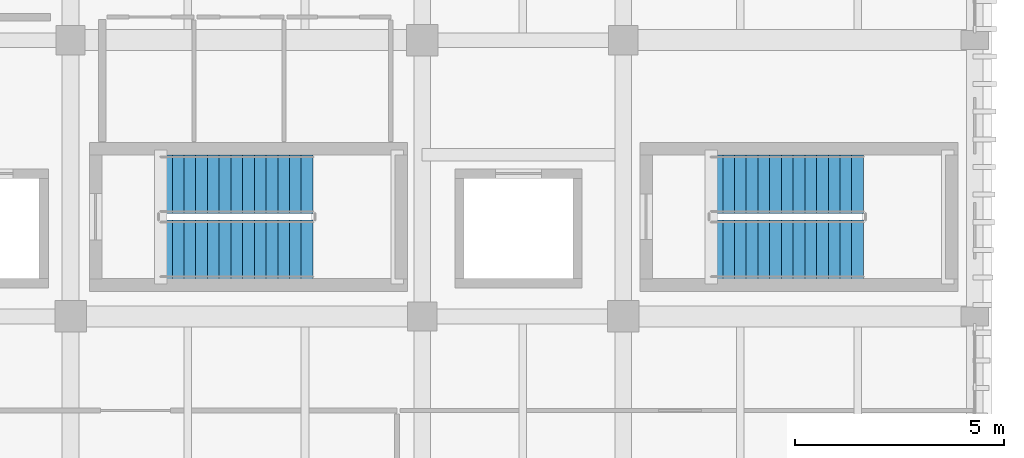
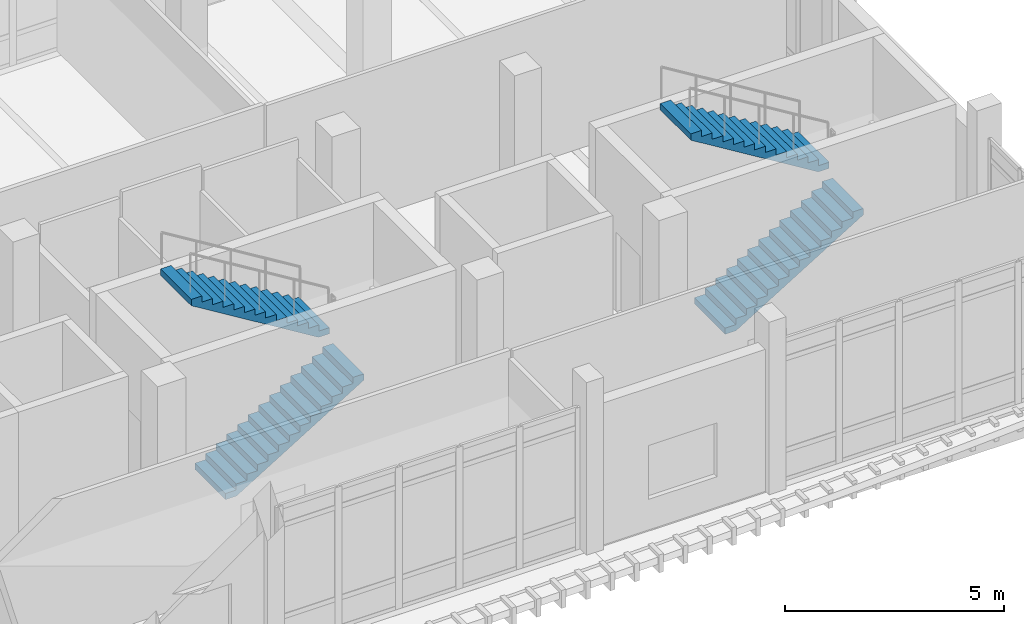
# One storey, part 25 of 37: 4 stair flights, 2 elements without a shape of their own.
"""IFC4 building model written with IfcOpenShell, lengths in metres."""

import ifcopenshell
import ifcopenshell.guid

model = None  # the IFC model being written
_history = None  # IfcOwnerHistory: only IFC2X3 demands one
_inside = {}  # id of a spatial element -> (the spatial element, [elements in it])
_under = {}  # id of a project, library or spatial element -> (it, [spatial elements below it])
_declared = {}  # id of a project -> (the project, [libraries it declares])
_typed = {}  # id of a type object -> (the type object, [elements of that type])
_made_of = {}  # id of a material, layer set ... -> (it, [elements and type objects made of it])


def new_model(schema):
    """Start an empty IFC model of exactly this schema.

    Asked for "IFC4X3", IfcOpenShell would pick the latest addendum, in which some entities
    have other attributes; the version numbers below select the first issue.
    IFC2X3 requires an IfcOwnerHistory on every rooted entity: one is made here for all.
    """
    global model, _history
    if schema == "IFC4X3":
        model = ifcopenshell.file(schema_version=(4, 3, 0, 0))
    else:
        model = ifcopenshell.file(schema=schema)
    _inside.clear()
    _under.clear()
    _declared.clear()
    _typed.clear()
    _made_of.clear()
    _history = None
    if model.schema == "IFC2X3":
        org = make("IfcOrganization", Name="unknown")
        user = make(
            "IfcPersonAndOrganization",
            ThePerson=make("IfcPerson", FamilyName="unknown"),
            TheOrganization=org,
        )
        app = make(
            "IfcApplication",
            ApplicationDeveloper=org,
            Version="unknown",
            ApplicationFullName="unknown",
            ApplicationIdentifier="unknown",
        )
        _history = make(
            "IfcOwnerHistory",
            OwningUser=user,
            OwningApplication=app,
            ChangeAction="ADDED",
            CreationDate=0,
        )
    return model


def make(cls, **values):
    """One entity of the class cls with the attributes given. An attribute that is None is left unset."""
    return model.create_entity(
        cls, **{name: value for name, value in values.items() if value is not None}
    )


def rooted(cls, **values):
    """An entity with a GlobalId (a new one), such as an element, a storey or a relation."""
    return make(cls, GlobalId=ifcopenshell.guid.new(), OwnerHistory=_history, **values)


def si_unit(unit_type, name, prefix=None):
    """IfcSIUnit, for example si_unit("LENGTHUNIT", "METRE", prefix="MILLI")."""
    return make("IfcSIUnit", UnitType=unit_type, Prefix=prefix, Name=name)


def assignment(units):
    """IfcUnitAssignment: the units of a project."""
    return None if units is None else make("IfcUnitAssignment", Units=units)


def point(xyz):
    """IfcCartesianPoint."""
    return None if xyz is None else make("IfcCartesianPoint", Coordinates=xyz)


def direction(xyz):
    """IfcDirection."""
    return None if xyz is None else make("IfcDirection", DirectionRatios=xyz)


def frame(location, z_axis=None, x_axis=None):
    """IfcAxis2Placement3D, a coordinate frame: its origin and axes. An axis left out is left unset."""
    return make(
        "IfcAxis2Placement3D",
        Location=point(location),
        Axis=direction(z_axis),
        RefDirection=direction(x_axis),
    )


def origin():
    """The frame at (0, 0, 0) with its axes left unset."""
    return frame((0.0, 0.0, 0.0))


def place(relative_to, where):
    """IfcLocalPlacement: puts the frame where relative to a parent placement (None: the world)."""
    return make(
        "IfcLocalPlacement", PlacementRelTo=relative_to, RelativePlacement=where
    )


def context(
    kind, dimensions, precision=None, world=None, true_north=None, identifier=None
):
    """IfcGeometricRepresentationContext, for example the 3D "Model" context."""
    return make(
        "IfcGeometricRepresentationContext",
        ContextIdentifier=identifier,
        ContextType=kind,
        CoordinateSpaceDimension=dimensions,
        Precision=precision,
        WorldCoordinateSystem=world,
        TrueNorth=true_north,
    )


def subcontext(parent, identifier, kind, view, scale=None):
    """IfcGeometricRepresentationSubContext, for example "Body" below "Model"."""
    return make(
        "IfcGeometricRepresentationSubContext",
        ContextIdentifier=identifier,
        ContextType=kind,
        ParentContext=parent,
        TargetScale=scale,
        TargetView=view,
    )


def project(units=None, contexts=None):
    """IfcProject with its units and contexts."""
    return rooted(
        "IfcProject",
        Name="project",
        RepresentationContexts=contexts,
        UnitsInContext=assignment(units),
    )


def spatial(cls, under=None, at=None, **own):
    """A site, building, storey or space (cls), placed at a placement, below another one or the project."""
    s = rooted(cls, ObjectPlacement=at, **own)
    if under is not None:
        _under.setdefault(under.id(), (under, []))[1].append(s)
    return s


def polyline(points):
    """IfcPolyline through the points."""
    return make("IfcPolyline", Points=[point(p) for p in points])


def outline(outer, holes=None, kind="AREA"):
    """IfcArbitraryClosedProfileDef: a profile drawn as a closed curve; with holes, ...WithVoids."""
    if holes is None:
        return make("IfcArbitraryClosedProfileDef", ProfileType=kind, OuterCurve=outer)
    return make(
        "IfcArbitraryProfileDefWithVoids",
        ProfileType=kind,
        OuterCurve=outer,
        InnerCurves=holes,
    )


def extrude(swept, where, along, depth):
    """IfcExtrudedAreaSolid: the profile swept, set in the frame where, extruded along a direction by depth."""
    return make(
        "IfcExtrudedAreaSolid",
        SweptArea=swept,
        Position=where,
        ExtrudedDirection=direction(along),
        Depth=depth,
    )


def shape(context_of_items, identifier, shape_type, items):
    """IfcShapeRepresentation: the items that make up one representation, for example the "Body"."""
    return make(
        "IfcShapeRepresentation",
        ContextOfItems=context_of_items,
        RepresentationIdentifier=identifier,
        RepresentationType=shape_type,
        Items=items,
    )


def material(Name=None, Category=None):
    """IfcMaterial."""
    return make("IfcMaterial", Name=Name, Category=Category)


def made_of(thing, what):
    """Note that an element or type object is made of a material, layer set ...; save() writes the relation."""
    if what is not None:
        _made_of.setdefault(what.id(), (what, []))[1].append(thing)
    return thing


def type_object(cls, material=None, **own):
    """A type object (cls), such as IfcWallType, which elements share."""
    return made_of(rooted(cls, **own), material)


def element(
    cls,
    number,
    at=None,
    inside=None,
    cuts=None,
    type_object=None,
    material=None,
    context=None,
    identifier="Body",
    shape_type=None,
    held_by="IfcProductDefinitionShape",
    body=None,
    shapes=None,
    **own,
):
    """One element of the class cls, such as IfcWall. Its Tag is "e" and its number.

    at: its placement. inside: the storey or other place that contains it. cuts: it is an
    opening in that element (IfcRelVoidsElement). A single representation is given by context,
    identifier, shape_type and body (its items); several are given by shapes. held_by: the class
    of the entity that holds the representations. save() writes the other relations.
    """
    e = rooted(cls, Tag="e%d" % number, ObjectPlacement=at, **own)
    if body is not None:
        shapes = [shape(context, identifier, shape_type, body)]
    if shapes is not None:
        e.Representation = make(held_by, Representations=shapes)
    if inside is not None:
        _inside.setdefault(inside.id(), (inside, []))[1].append(e)
    if cuts is not None:
        rooted(
            "IfcRelVoidsElement", RelatingBuildingElement=cuts, RelatedOpeningElement=e
        )
    if type_object is not None:
        _typed.setdefault(type_object.id(), (type_object, []))[1].append(e)
    return made_of(e, material)


def aggregate(whole, parts):
    """IfcRelAggregates: a whole, such as a stair, and the parts it consists of."""
    return rooted("IfcRelAggregates", RelatingObject=whole, RelatedObjects=parts)


def save(model, path):
    """Write the relations noted so far, then the file.

    IfcRelAggregates (storeys below a building ...), IfcRelContainedInSpatialStructure (elements
    in a storey), IfcRelDefinesByType, IfcRelAssociatesMaterial and IfcRelDeclares: one each for
    every whole, place, type object, material and project.
    """
    for whole, parts in _under.values():
        aggregate(whole, parts)
    for where, things in _inside.values():
        rooted(
            "IfcRelContainedInSpatialStructure",
            RelatedElements=things,
            RelatingStructure=where,
        )
    for kind, things in _typed.values():
        rooted("IfcRelDefinesByType", RelatedObjects=things, RelatingType=kind)
    for what, things in _made_of.values():
        rooted("IfcRelAssociatesMaterial", RelatedObjects=things, RelatingMaterial=what)
    for by, libraries in _declared.values():
        rooted("IfcRelDeclares", RelatingContext=by, RelatedDefinitions=libraries)
    model.write(path)


model = new_model("IFC4")

# Units and contexts
model_context = context("Model", 3, precision=1e-05, world=origin(), true_north=direction((0.0, 1.0)))
body_context = subcontext(model_context, "Body", "Model", "MODEL_VIEW")
ifc_project = project(units=[si_unit("LENGTHUNIT", "METRE"), si_unit("AREAUNIT", "SQUARE_METRE"), si_unit("VOLUMEUNIT", "CUBIC_METRE"), si_unit("PLANEANGLEUNIT", "RADIAN"), si_unit("MASSUNIT", "GRAM", prefix="KILO")], contexts=[model_context])

# Site, building, storey
site_placement = place(None, origin())
site = spatial("IfcSite", under=ifc_project, at=site_placement, CompositionType="ELEMENT")
building_placement = place(site_placement, origin())
building = spatial("IfcBuilding", under=site, at=building_placement, Name="Dornvale Research Institute", CompositionType="ELEMENT")
storey_placement = place(building_placement, frame((0.0, 0.0, 29.39990234375)))
storey = spatial("IfcBuildingStorey", under=building, at=storey_placement, Name="L06", CompositionType="ELEMENT", Elevation=29.39990234375)

# Stair, stair flights
ifc_material_1 = material(Name="Concrete f'c 45 MPa (C35/45)", Category="concrete")
stair_type = type_object("IfcStairType", Name="HalfTurnStair_RC", PredefinedType="HALF_TURN_STAIR", material=ifc_material_1)
stair_1_placement = place(storey_placement, origin())
stair_1 = element("IfcStair", 1, at=stair_1_placement, inside=storey, type_object=stair_type, Name="L06 Exit stair ST-1", PredefinedType="HALF_TURN_STAIR")
ifc_material_2 = material(Name="Concrete f'c 45 MPa (C35/45)", Category="concrete")
stair_flight_type = type_object("IfcStairFlightType", Name="StraightFlight_RC150", PredefinedType="STRAIGHT", material=ifc_material_2)
stair_flight_1_placement = place(storey_placement, frame((21.949951171875, 105.39990234375, 0.0), z_axis=(0.0, 0.0, 1.0), x_axis=(1.0, 0.0, 0.0)))
stair_flight_1 = element("IfcStairFlight", 2, at=stair_flight_1_placement, type_object=stair_flight_type, Name="ST-1 flight 1", NumberOfRisers=14, NumberOfTreads=13, PredefinedType="STRAIGHT", RiserHeight=0.171428571, TreadLength=0.28, context=body_context, shape_type="SweptSolid", body=[
    extrude(outline(polyline([(0.0, 0.0), (0.0, 0.17138671875), (0.280029296875, 0.17138671875), (0.280029296875, 0.3427734375), (0.56005859375, 0.3427734375), (0.56005859375, 0.514404296875), (0.840087890625, 0.514404296875), (0.840087890625, 0.685791015625), (1.1201171875, 0.685791015625), (1.1201171875, 0.857177734375), (1.39990234375, 0.857177734375), (1.39990234375, 1.028564453125), (1.679931640625, 1.028564453125), (1.679931640625, 1.199951171875), (1.9599609375, 1.199951171875), (1.9599609375, 1.371337890625), (2.239990234375, 1.371337890625), (2.239990234375, 1.54296875), (2.52001953125, 1.54296875), (2.52001953125, 1.71435546875), (2.800048828125, 1.71435546875), (2.800048828125, 1.8857421875), (3.080078125, 1.8857421875), (3.080078125, 2.05712890625), (3.360107421875, 2.05712890625), (3.360107421875, 2.228515625), (3.639892578125, 2.228515625), (3.639892578125, 2.39990234375), (3.639892578125, 2.052734375), (0.287109375, 0.0), (0.0, 0.0)])), frame((0.0, 0.699951171875, 0.0), z_axis=(0.0, -1.0, 0.0), x_axis=(1.0, 0.0, 0.0)), (0.0, 0.0, 1.0), 1.39990234375),
])
stair_flight_2_placement = place(storey_placement, frame((25.590087890625, 106.9599609375, 2.400146484375), z_axis=(0.0, 0.0, 1.0), x_axis=(-1.0, 0.0, 0.0)))
stair_flight_2 = element("IfcStairFlight", 3, at=stair_flight_2_placement, type_object=stair_flight_type, Name="ST-1 flight 2", NumberOfRisers=14, NumberOfTreads=13, PredefinedType="STRAIGHT", RiserHeight=0.171428571, TreadLength=0.28, context=body_context, shape_type="SweptSolid", body=[
    extrude(outline(polyline([(0.0, 0.0), (0.0, 0.17138671875), (0.280029296875, 0.17138671875), (0.280029296875, 0.3427734375), (0.56005859375, 0.3427734375), (0.56005859375, 0.514404296875), (0.840087890625, 0.514404296875), (0.840087890625, 0.685791015625), (1.1201171875, 0.685791015625), (1.1201171875, 0.857177734375), (1.39990234375, 0.857177734375), (1.39990234375, 1.028564453125), (1.679931640625, 1.028564453125), (1.679931640625, 1.199951171875), (1.9599609375, 1.199951171875), (1.9599609375, 1.371337890625), (2.239990234375, 1.371337890625), (2.239990234375, 1.54296875), (2.52001953125, 1.54296875), (2.52001953125, 1.71435546875), (2.800048828125, 1.71435546875), (2.800048828125, 1.8857421875), (3.080078125, 1.8857421875), (3.080078125, 2.05712890625), (3.360107421875, 2.05712890625), (3.360107421875, 2.228515625), (3.639892578125, 2.228515625), (3.639892578125, 2.39990234375), (3.639892578125, 2.052734375), (0.287109375, 0.0), (0.0, 0.0)])), frame((0.0, 0.699951171875, 0.0), z_axis=(0.0, -1.0, 0.0), x_axis=(1.0, 0.0, 0.0)), (0.0, 0.0, 1.0), 1.39990234375),
])
aggregate(stair_1, [stair_flight_1, stair_flight_2])

stair_2_placement = place(storey_placement, origin())
stair_2 = element("IfcStair", 4, at=stair_2_placement, inside=storey, type_object=stair_type, Name="L06 Exit stair ST-2", PredefinedType="HALF_TURN_STAIR")
stair_flight_3_placement = place(storey_placement, frame((35.10009765625, 105.39990234375, 0.0), z_axis=(0.0, 0.0, 1.0), x_axis=(1.0, 0.0, 0.0)))
stair_flight_3 = element("IfcStairFlight", 5, at=stair_flight_3_placement, type_object=stair_flight_type, Name="ST-2 flight 1", NumberOfRisers=14, NumberOfTreads=13, PredefinedType="STRAIGHT", RiserHeight=0.171428571, TreadLength=0.28, context=body_context, shape_type="SweptSolid", body=[
    extrude(outline(polyline([(0.0, 0.0), (0.0, 0.17138671875), (0.280029296875, 0.17138671875), (0.280029296875, 0.3427734375), (0.56005859375, 0.3427734375), (0.56005859375, 0.514404296875), (0.840087890625, 0.514404296875), (0.840087890625, 0.685791015625), (1.1201171875, 0.685791015625), (1.1201171875, 0.857177734375), (1.39990234375, 0.857177734375), (1.39990234375, 1.028564453125), (1.679931640625, 1.028564453125), (1.679931640625, 1.199951171875), (1.9599609375, 1.199951171875), (1.9599609375, 1.371337890625), (2.239990234375, 1.371337890625), (2.239990234375, 1.54296875), (2.52001953125, 1.54296875), (2.52001953125, 1.71435546875), (2.800048828125, 1.71435546875), (2.800048828125, 1.8857421875), (3.080078125, 1.8857421875), (3.080078125, 2.05712890625), (3.360107421875, 2.05712890625), (3.360107421875, 2.228515625), (3.639892578125, 2.228515625), (3.639892578125, 2.39990234375), (3.639892578125, 2.052734375), (0.287109375, 0.0), (0.0, 0.0)])), frame((0.0, 0.699951171875, 0.0), z_axis=(0.0, -1.0, 0.0), x_axis=(1.0, 0.0, 0.0)), (0.0, 0.0, 1.0), 1.39990234375),
])
stair_flight_4_placement = place(storey_placement, frame((38.739990234375, 106.9599609375, 2.400146484375), z_axis=(0.0, 0.0, 1.0), x_axis=(-1.0, 0.0, 0.0)))
stair_flight_4 = element("IfcStairFlight", 6, at=stair_flight_4_placement, type_object=stair_flight_type, Name="ST-2 flight 2", NumberOfRisers=14, NumberOfTreads=13, PredefinedType="STRAIGHT", RiserHeight=0.171428571, TreadLength=0.28, context=body_context, shape_type="SweptSolid", body=[
    extrude(outline(polyline([(0.0, 0.0), (0.0, 0.17138671875), (0.280029296875, 0.17138671875), (0.280029296875, 0.3427734375), (0.56005859375, 0.3427734375), (0.56005859375, 0.514404296875), (0.840087890625, 0.514404296875), (0.840087890625, 0.685791015625), (1.1201171875, 0.685791015625), (1.1201171875, 0.857177734375), (1.39990234375, 0.857177734375), (1.39990234375, 1.028564453125), (1.679931640625, 1.028564453125), (1.679931640625, 1.199951171875), (1.9599609375, 1.199951171875), (1.9599609375, 1.371337890625), (2.239990234375, 1.371337890625), (2.239990234375, 1.54296875), (2.52001953125, 1.54296875), (2.52001953125, 1.71435546875), (2.800048828125, 1.71435546875), (2.800048828125, 1.8857421875), (3.080078125, 1.8857421875), (3.080078125, 2.05712890625), (3.360107421875, 2.05712890625), (3.360107421875, 2.228515625), (3.639892578125, 2.228515625), (3.639892578125, 2.39990234375), (3.639892578125, 2.052734375), (0.287109375, 0.0), (0.0, 0.0)])), frame((0.0, 0.699951171875, 0.0), z_axis=(0.0, -1.0, 0.0), x_axis=(1.0, 0.0, 0.0)), (0.0, 0.0, 1.0), 1.39990234375),
])
aggregate(stair_2, [stair_flight_3, stair_flight_4])

save(model, "model.ifc")
